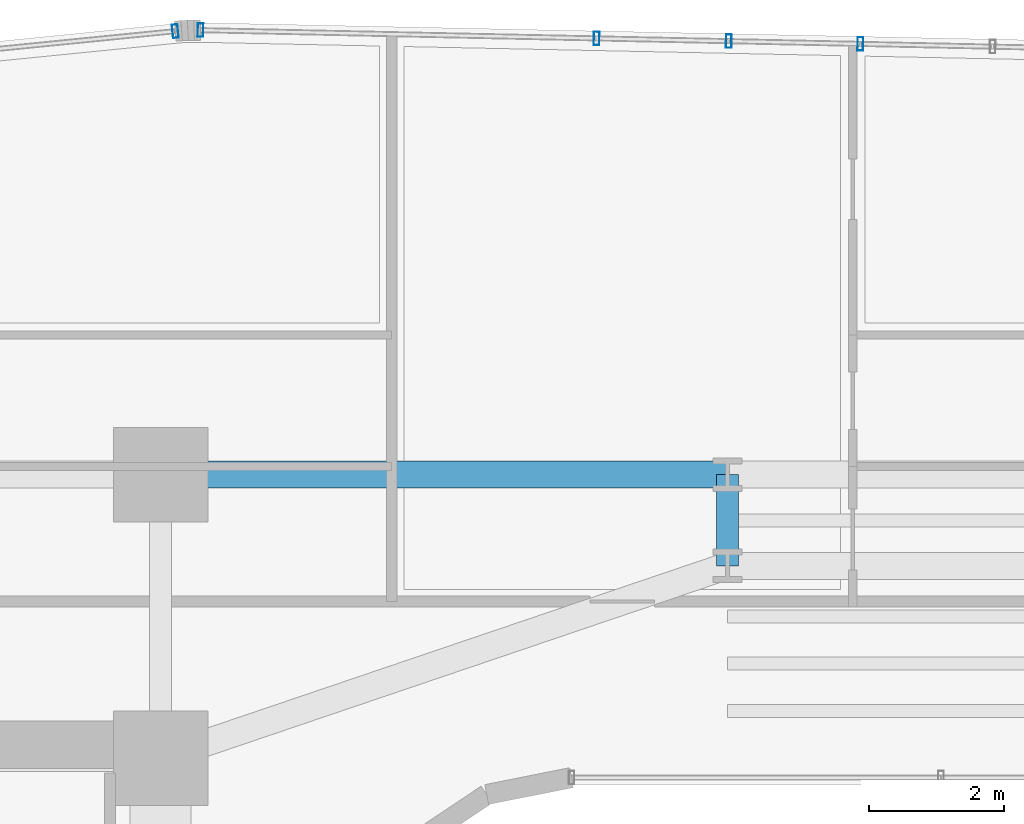
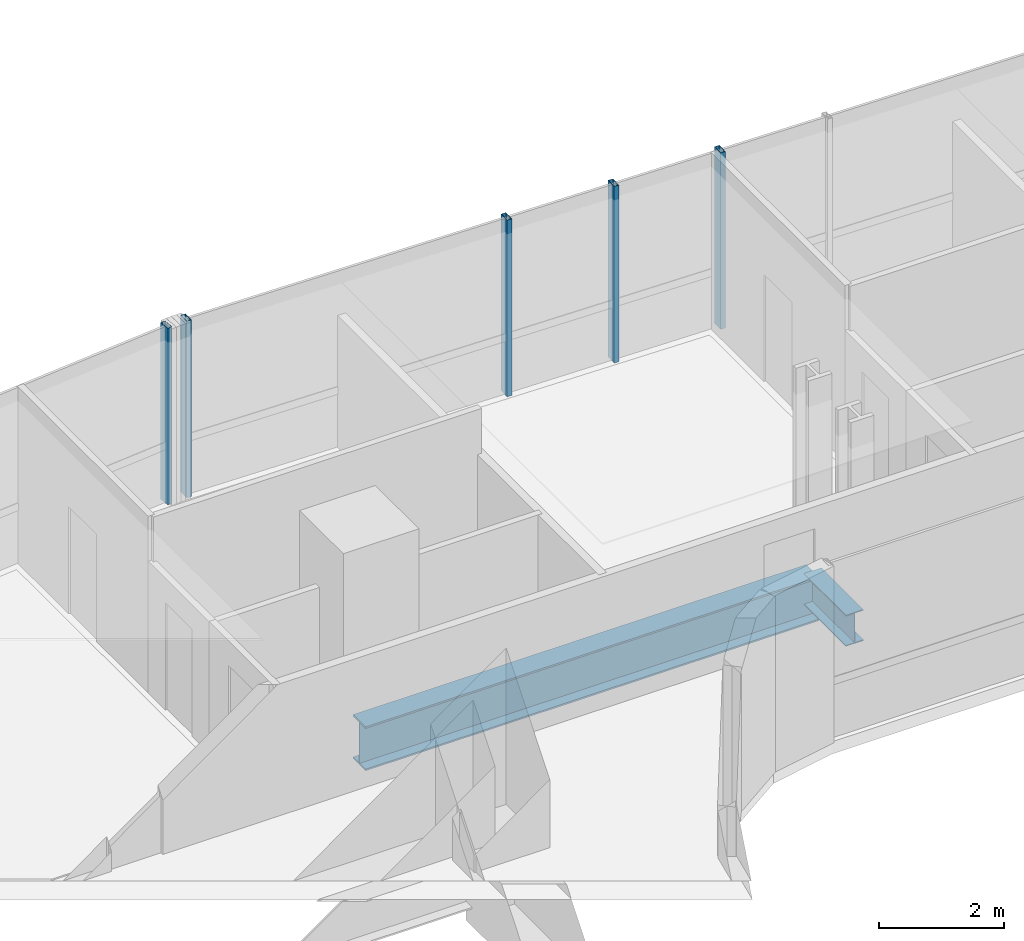
# One storey, part 20 of 41: 5 members, 2 beams, 2 elements without a shape of their own.
"""IFC4 building model written with IfcOpenShell, lengths in metres."""

from ifc_helpers import new_model, si_unit, direction, frame, origin, origin_2d, place, context, subcontext, project, spatial, hollow_rectangle, i_section, extrude, source, transform, mapped, material, material_profile, profile_set, type_object, element, aggregate, save


model = new_model("IFC4")

# Units and contexts
model_context = context("Model", 3, precision=1e-05, world=origin(), true_north=direction((0.0, 1.0)))
body_context = subcontext(model_context, "Body", "Model", "MODEL_VIEW")
ifc_project = project(units=[si_unit("LENGTHUNIT", "METRE"), si_unit("AREAUNIT", "SQUARE_METRE"), si_unit("VOLUMEUNIT", "CUBIC_METRE"), si_unit("PLANEANGLEUNIT", "RADIAN"), si_unit("MASSUNIT", "GRAM", prefix="KILO")], contexts=[model_context])

# Site, building, storey
site_placement = place(None, origin())
site = spatial("IfcSite", under=ifc_project, at=site_placement, CompositionType="ELEMENT")
building_placement = place(site_placement, origin())
building = spatial("IfcBuilding", under=site, at=building_placement, Name="Valdorenza Pilgrim Sanctuary Tower", CompositionType="ELEMENT")
storey_placement = place(building_placement, frame((0.0, 0.0, 59.300048828125)))
storey = spatial("IfcBuildingStorey", under=building, at=storey_placement, Name="L14", CompositionType="ELEMENT", Elevation=59.300048828125)

# Beams
ifc_material_1 = material(Name="Steel ASTM A992 Grade 50", Category="steel")
ifc_material_profile_1 = material_profile(ifc_material_1, i_section(OverallWidth=0.39990234375, OverallDepth=0.862060546875, WebThickness=0.019775390625, FlangeThickness=0.032470703125, at=origin_2d()), Name="W33X221")
ifc_profile_set_1 = profile_set([ifc_material_profile_1], Name="Steel ASTM A992 Grade 50")
beam_type_1 = type_object("IfcBeamType", Name="STR-BM-GRD-W33", PredefinedType="BEAM", material=ifc_profile_set_1)
shared_shape_1 = source(origin(), body_context, "Body", "SweptSolid", [
    extrude(i_section(OverallWidth=0.39990234375, OverallDepth=0.862060546875, WebThickness=0.019775390625, FlangeThickness=0.032470703125, at=origin_2d()), origin(), (0.0, 0.0, 1.0), 8.39990234375),
])
beam_1_placement = place(storey_placement, frame((-12.39990234375, 14.800048828125, -0.671142578125), z_axis=(1.0, 0.0, 0.0), x_axis=(0.0, 1.0, 0.0)))
element("IfcBeam", 1, at=beam_1_placement, inside=storey, type_object=beam_type_1, Name="L14 Floor Girder KNK-G4", PredefinedType="BEAM", context=body_context, shape_type="MappedRepresentation", body=[
    mapped(shared_shape_1, transform((0.0, 0.0, 0.0), x_axis=(1.0, 0.0, 0.0), y_axis=(0.0, 1.0, 0.0), z_axis=(0.0, 0.0, 1.0), scale=1.0)),
])
ifc_material_profile_2 = material_profile(ifc_material_1, i_section(OverallWidth=0.323974609375, OverallDepth=0.611083984375, WebThickness=0.0126953125, FlangeThickness=0.01904296875, at=origin_2d()), Name="W24X104")
ifc_profile_set_2 = profile_set([ifc_material_profile_2], Name="Steel ASTM A992 Grade 50")
beam_type_2 = type_object("IfcBeamType", Name="STR-BM-GRD-W24B", PredefinedType="BEAM", material=ifc_profile_set_2)
shared_shape_2 = source(origin(), body_context, "Body", "SweptSolid", [
    extrude(i_section(OverallWidth=0.323974609375, OverallDepth=0.611083984375, WebThickness=0.0126953125, FlangeThickness=0.01904296875, at=origin_2d()), origin(), (0.0, 0.0, 1.0), 1.35009765625),
])
beam_2_placement = place(storey_placement, frame((-4.0, 13.449951171875, -0.545654296875), z_axis=(0.0, 1.0, 0.0), x_axis=(-1.0, 0.0, 0.0)))
element("IfcBeam", 2, at=beam_2_placement, inside=storey, type_object=beam_type_2, Name="L14 Floor Girder KNK-TIE-W", PredefinedType="BEAM", context=body_context, shape_type="MappedRepresentation", body=[
    mapped(shared_shape_2, transform((0.0, 0.0, 0.0), x_axis=(1.0, 0.0, 0.0), y_axis=(0.0, 1.0, 0.0), z_axis=(0.0, 0.0, 1.0), scale=1.0)),
])

# Curtain wall, member
ifc_material_2 = material(Name="Curtain-wall IGU glazing", Category="glass")
curtain_wall_type = type_object("IfcCurtainWallType", Name="CW-SYS-02", PredefinedType="NOTDEFINED", material=ifc_material_2)
curtain_wall_1_placement = place(storey_placement, origin())
curtain_wall_1 = element("IfcCurtainWall", 3, at=curtain_wall_1_placement, inside=storey, type_object=curtain_wall_type, Name="L14 Curtain Wall CW-L14-1-6", PredefinedType="NOTDEFINED")
ifc_material_3 = material(Name="Anodised aluminium AW-6060", Category="aluminium")
ifc_material_profile_3 = material_profile(ifc_material_3, hollow_rectangle(XDim=0.0849609375, YDim=0.199951171875, WallThickness=0.0048828125, at=origin_2d()), Name="ALU-M 200x85x5")
ifc_profile_set_3 = profile_set([ifc_material_profile_3], Name="Anodised aluminium AW-6060")
member_type = type_object("IfcMemberType", Name="CW-MUL-02", PredefinedType="MULLION", material=ifc_profile_set_3)
shared_shape_3 = source(origin(), body_context, "Body", "SweptSolid", [
    extrude(hollow_rectangle(XDim=0.0849609375, YDim=0.199951171875, WallThickness=0.0048828125, at=origin_2d()), origin(), (0.0, 0.0, 1.0), 3.4599609375),
])
member_1_placement = place(storey_placement, frame((-12.181884765625, 21.371337890625, 0.0), z_axis=(0.0, 0.0, 1.0), x_axis=(0.995038220239, 0.099493418189, 0.0)))
member_1 = element("IfcMember", 4, at=member_1_placement, type_object=member_type, Name="CW-L14-1-6 Mullion 4", PredefinedType="MULLION", context=body_context, shape_type="MappedRepresentation", body=[
    mapped(shared_shape_3, transform((0.0, 0.0, 0.0), x_axis=(1.0, 0.0, 0.0), y_axis=(0.0, 1.0, 0.0), z_axis=(0.0, 0.0, 1.0), scale=1.0)),
])
aggregate(curtain_wall_1, [member_1])

# Curtain wall, members
curtain_wall_2_placement = place(storey_placement, origin())
curtain_wall_2 = element("IfcCurtainWall", 5, at=curtain_wall_2_placement, inside=storey, type_object=curtain_wall_type, Name="L14 Curtain Wall CW-L14-1-11", PredefinedType="NOTDEFINED")
member_2_placement = place(storey_placement, frame((-11.808349609375, 21.385986328125, 0.0), z_axis=(0.0, 0.0, 1.0), x_axis=(0.999783234613, -0.020820273474, 0.0)))
member_2 = element("IfcMember", 6, at=member_2_placement, type_object=member_type, Name="CW-L14-1-11 Mullion 1", PredefinedType="MULLION", context=body_context, shape_type="MappedRepresentation", body=[
    mapped(shared_shape_3, transform((0.0, 0.0, 0.0), x_axis=(1.0, 0.0, 0.0), y_axis=(0.0, 1.0, 0.0), z_axis=(0.0, 0.0, 1.0), scale=1.0)),
])
member_3_placement = place(storey_placement, frame((-5.93994140625, 21.263671875, 0.0), z_axis=(0.0, 0.0, 1.0), x_axis=(0.999783234613, -0.020820273474, 0.0)))
member_3 = element("IfcMember", 7, at=member_3_placement, type_object=member_type, Name="CW-L14-1-11 Mullion 2", PredefinedType="MULLION", context=body_context, shape_type="MappedRepresentation", body=[
    mapped(shared_shape_3, transform((0.0, 0.0, 0.0), x_axis=(1.0, 0.0, 0.0), y_axis=(0.0, 1.0, 0.0), z_axis=(0.0, 0.0, 1.0), scale=1.0)),
])
member_4_placement = place(storey_placement, frame((-3.98046875, 21.222900390625, 0.0), z_axis=(0.0, 0.0, 1.0), x_axis=(0.999783234613, -0.020820273474, 0.0)))
member_4 = element("IfcMember", 8, at=member_4_placement, type_object=member_type, Name="CW-L14-1-11 Sub-Mullion 18-1", PredefinedType="MULLION", context=body_context, shape_type="MappedRepresentation", body=[
    mapped(shared_shape_3, transform((0.0, 0.0, 0.0), x_axis=(1.0, 0.0, 0.0), y_axis=(0.0, 1.0, 0.0), z_axis=(0.0, 0.0, 1.0), scale=1.0)),
])
member_5_placement = place(storey_placement, frame((-2.03076171875, 21.182373046875, 0.0), z_axis=(0.0, 0.0, 1.0), x_axis=(0.999783234613, -0.020820273474, 0.0)))
member_5 = element("IfcMember", 9, at=member_5_placement, type_object=member_type, Name="CW-L14-1-11 Sub-Mullion 18-2", PredefinedType="MULLION", context=body_context, shape_type="MappedRepresentation", body=[
    mapped(shared_shape_3, transform((0.0, 0.0, 0.0), x_axis=(1.0, 0.0, 0.0), y_axis=(0.0, 1.0, 0.0), z_axis=(0.0, 0.0, 1.0), scale=1.0)),
])
aggregate(curtain_wall_2, [member_2, member_3, member_4, member_5])

save(model, "model.ifc")
